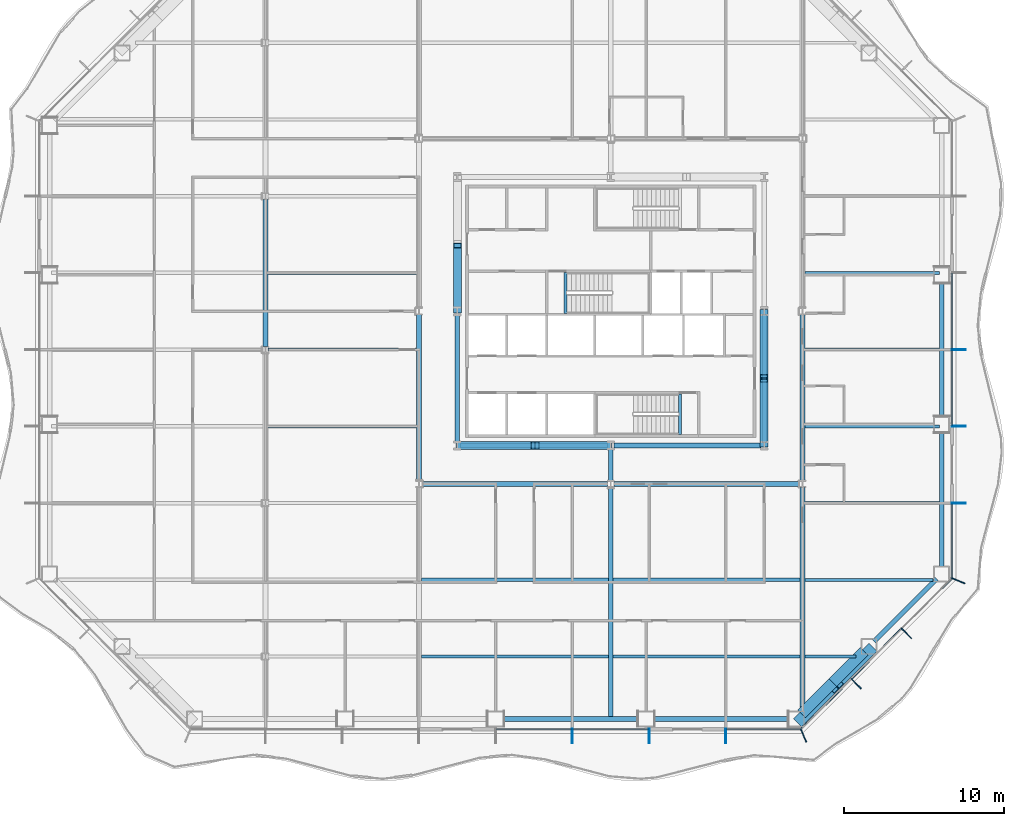
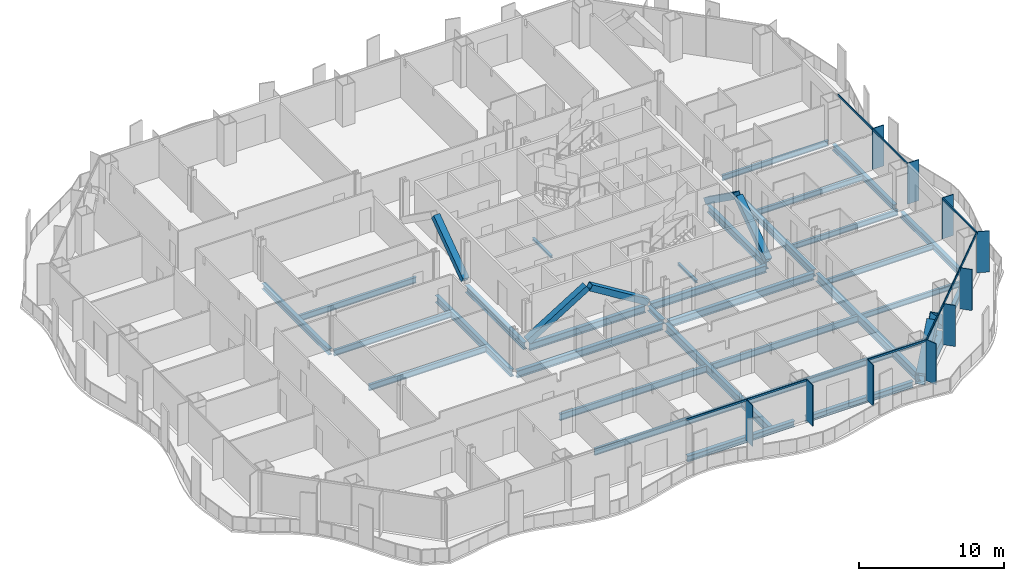
# One storey, part 2 of 21: 34 beams, 26 members, 3 elements without a shape of their own.
"""IFC4 building model written with IfcOpenShell, lengths in metres."""

from ifc_helpers import new_model, si_unit, direction, frame, origin, origin_2d, place, context, subcontext, project, spatial, rectangle, hollow_rectangle, i_section, extrude, material, material_profile, profile_set, type_object, element, aggregate, save


model = new_model("IFC4")

# Units and contexts
model_context = context("Model", 3, precision=1e-05, world=origin(), true_north=direction((0.0, 1.0)))
body_context = subcontext(model_context, "Body", "Model", "MODEL_VIEW")
ifc_project = project(units=[si_unit("LENGTHUNIT", "METRE"), si_unit("AREAUNIT", "SQUARE_METRE"), si_unit("VOLUMEUNIT", "CUBIC_METRE"), si_unit("PLANEANGLEUNIT", "RADIAN"), si_unit("MASSUNIT", "GRAM", prefix="KILO")], contexts=[model_context])

# Site, building, storey
site_placement = place(None, origin())
site = spatial("IfcSite", under=ifc_project, at=site_placement, CompositionType="ELEMENT")
building_placement = place(site_placement, origin())
building = spatial("IfcBuilding", under=site, at=building_placement, Name="Cairn Pilgrim Tower", CompositionType="ELEMENT")
storey_placement = place(building_placement, frame((0.0, 0.0, 58.199951171875)))
storey = spatial("IfcBuildingStorey", under=building, at=storey_placement, Name="L12", CompositionType="ELEMENT", Elevation=58.199951171875)

# Members
ifc_material_1 = material(Name="Structural steel S460M", Category="steel")
ifc_material_profile_1 = material_profile(ifc_material_1, hollow_rectangle(XDim=0.5, YDim=0.5, WallThickness=0.030029296875, at=origin_2d()), Name="BOX 500x500x30")
ifc_profile_set_1 = profile_set([ifc_material_profile_1], Name="Structural steel S460M")
member_type_1 = type_object("IfcMemberType", Name="BOX 500x500x30 BRACE", PredefinedType="BRACE", material=ifc_profile_set_1)
member_1_placement = place(storey_placement, frame((-2.3544921875, -6.0, 0.10009765625), z_axis=(0.850904896844, 0.0, 0.525319765978), x_axis=(0.0, 1.0, 0.0)))
element("IfcMember", 1, at=member_1_placement, inside=storey, type_object=member_type_1, Name="KB-1A", PredefinedType="BRACE", context=body_context, shape_type="SweptSolid", body=[
    extrude(hollow_rectangle(XDim=0.5, YDim=0.5, WallThickness=0.030029296875, at=origin_2d()), origin(), (0.0, 0.0, 1.0), 5.52490234375),
])
member_2_placement = place(storey_placement, frame((7.154541015625, -6.0, 0.10009765625), z_axis=(-0.850919818074, 0.0, 0.52529559603), x_axis=(0.0, -1.0, 0.0)))
element("IfcMember", 2, at=member_2_placement, inside=storey, type_object=member_type_1, Name="KB-1B", PredefinedType="BRACE", context=body_context, shape_type="SweptSolid", body=[
    extrude(hollow_rectangle(XDim=0.5, YDim=0.5, WallThickness=0.030029296875, at=origin_2d()), origin(), (0.0, 0.0, 1.0), 5.375),
])
member_3_placement = place(storey_placement, frame((16.800048828125, -5.95458984375, 0.10009765625), z_axis=(0.0, 0.814083383497, 0.580748004486), x_axis=(-1.0, 0.0, 0.0)))
element("IfcMember", 3, at=member_3_placement, inside=storey, type_object=member_type_1, Name="KB-2A", PredefinedType="BRACE", context=body_context, shape_type="SweptSolid", body=[
    extrude(hollow_rectangle(XDim=0.5, YDim=0.5, WallThickness=0.030029296875, at=origin_2d()), origin(), (0.0, 0.0, 1.0), 4.9951171875),
])
member_4_placement = place(storey_placement, frame((16.800048828125, 2.3544921875, 0.10009765625), z_axis=(0.0, -0.814066898095, 0.580771112769), x_axis=(1.0, 0.0, 0.0)))
element("IfcMember", 4, at=member_4_placement, inside=storey, type_object=member_type_1, Name="KB-2B", PredefinedType="BRACE", context=body_context, shape_type="SweptSolid", body=[
    extrude(hollow_rectangle(XDim=0.5, YDim=0.5, WallThickness=0.030029296875, at=origin_2d()), origin(), (0.0, 0.0, 1.0), 4.994873046875),
])
member_5_placement = place(storey_placement, frame((-2.39990234375, 2.4453125, 0.10009765625), z_axis=(0.0, 0.814083383497, 0.580748004486), x_axis=(-1.0, 0.0, 0.0)))
element("IfcMember", 5, at=member_5_placement, inside=storey, type_object=member_type_1, Name="KB-4B", PredefinedType="BRACE", context=body_context, shape_type="SweptSolid", body=[
    extrude(hollow_rectangle(XDim=0.5, YDim=0.5, WallThickness=0.030029296875, at=origin_2d()), origin(), (0.0, 0.0, 1.0), 4.9951171875),
])
ifc_material_profile_2 = material_profile(ifc_material_1, hollow_rectangle(XDim=0.699951171875, YDim=0.699951171875, WallThickness=0.0400390625, at=origin_2d()), Name="BOX 700x700x40")
ifc_profile_set_2 = profile_set([ifc_material_profile_2], Name="Structural steel S460M")
member_type_2 = type_object("IfcMemberType", Name="BOX 700x700x40 BRACE", PredefinedType="BRACE", material=ifc_profile_set_2)
member_6_placement = place(storey_placement, frame((19.0498046875, -23.181396484375, 0.150146484375), z_axis=(0.528118110354, 0.528118110354, 0.664968061663), x_axis=(-0.707106781187, 0.707106781187, 0.0)))
element("IfcMember", 6, at=member_6_placement, inside=storey, type_object=member_type_2, Name="XB-SE1-SE2-1", PredefinedType="BRACE", context=body_context, shape_type="SweptSolid", body=[
    extrude(hollow_rectangle(XDim=0.699951171875, YDim=0.699951171875, WallThickness=0.0400390625, at=origin_2d()), origin(), (0.0, 0.0, 1.0), 3.89990234375),
])
member_7_placement = place(storey_placement, frame((23.44482421875, -18.786376953125, 0.150146484375), z_axis=(-0.528090425698, -0.528090425698, 0.665012033404), x_axis=(0.707106781187, -0.707106781187, 0.0)))
element("IfcMember", 7, at=member_7_placement, inside=storey, type_object=member_type_2, Name="XB-SE1-SE2-2", PredefinedType="BRACE", context=body_context, shape_type="SweptSolid", body=[
    extrude(hollow_rectangle(XDim=0.699951171875, YDim=0.699951171875, WallThickness=0.0400390625, at=origin_2d()), origin(), (0.0, 0.0, 1.0), 3.899658203125),
])

# Beams
ifc_material_2 = material(Name="Structural steel S355J2", Category="steel")
ifc_material_profile_3 = material_profile(ifc_material_2, hollow_rectangle(XDim=0.699951171875, YDim=0.800048828125, WallThickness=0.0400390625, at=origin_2d()), Name="BOX 700x800x40")
ifc_profile_set_3 = profile_set([ifc_material_profile_3], Name="Structural steel S355J2")
beam_type_1 = type_object("IfcBeamType", Name="BOX 700x800x40 RING GIRDER", PredefinedType="SPANDREL", material=ifc_profile_set_3)
for number, where, z_axis, x_axis, name in (
    (8, (19.1455078125, -22.78173828125, -0.550048828125), (0.707106781187, 0.707106781187, 0.0), (-0.707106781187, 0.707106781187, 0.0), "RG1-SE1-SE2-1"),
    (9, (21.095458984375, -20.831787109375, -0.550048828125), (0.707106781187, 0.707106781187, 0.0), (-0.707106781187, 0.707106781187, 0.0), "RG1-SE1-SE2-2"),
):
    element("IfcBeam", number, at=place(storey_placement, frame(where, z_axis=z_axis, x_axis=x_axis)), inside=storey, type_object=beam_type_1, Name=name, PredefinedType="SPANDREL", context=body_context, shape_type="SweptSolid", body=[
        extrude(hollow_rectangle(XDim=0.699951171875, YDim=0.800048828125, WallThickness=0.0400390625, at=origin_2d()), origin(), (0.0, 0.0, 1.0), 2.757568359375),
    ])

# Curtain wall, members
ifc_material_3 = material(Name="Aluminium alloy 6063-T6 bronze anodised with Bronze tinted laminated low-E glass 8+16+8.8", Category="aluminium")
curtain_wall_type_1 = type_object("IfcCurtainWallType", Name="TOWER STICK CURTAIN WALL NS", PredefinedType="NOTDEFINED", material=ifc_material_3)
curtain_wall_1_placement = place(storey_placement, origin())
curtain_wall_1 = element("IfcCurtainWall", 10, at=curtain_wall_1_placement, inside=storey, type_object=curtain_wall_type_1, Name="Tower Stick Curtain Wall Ns S", PredefinedType="NOTDEFINED")
ifc_material_4 = material(Name="Aluminium alloy 6063-T6 bronze anodised", Category="aluminium")
ifc_material_profile_4 = material_profile(ifc_material_4, rectangle(XDim=0.89990234375, YDim=0.06005859375, at=origin_2d()), Name="FIN MULLION 60x900 BRONZE")
ifc_profile_set_4 = profile_set([ifc_material_profile_4], Name="Aluminium alloy 6063-T6 bronze anodised")
member_type_3 = type_object("IfcMemberType", Name="FIN MULLION 60x900 BRONZE", PredefinedType="MULLION", material=ifc_profile_set_4)
member_8_placement = place(storey_placement, frame((4.800048828125, -24.169921875, 0.0), z_axis=(0.0, 0.0, 1.0), x_axis=(0.0, -1.0, 0.0)))
member_8 = element("IfcMember", 11, at=member_8_placement, type_object=member_type_3, Name="Fin mullion S6", PredefinedType="MULLION", context=body_context, shape_type="SweptSolid", body=[
    extrude(rectangle(XDim=0.89990234375, YDim=0.06005859375, at=origin_2d()), origin(), (0.0, 0.0, 1.0), 3.449951171875),
])
member_9_placement = place(storey_placement, frame((9.60009765625, -24.169921875, 0.0), z_axis=(0.0, 0.0, 1.0), x_axis=(0.0, -1.0, 0.0)))
member_9 = element("IfcMember", 12, at=member_9_placement, type_object=member_type_3, Name="Fin mullion S7", PredefinedType="MULLION", context=body_context, shape_type="SweptSolid", body=[
    extrude(rectangle(XDim=0.89990234375, YDim=0.06005859375, at=origin_2d()), origin(), (0.0, 0.0, 1.0), 3.449951171875),
])
member_10_placement = place(storey_placement, frame((14.39990234375, -24.169921875, 0.0), z_axis=(0.0, 0.0, 1.0), x_axis=(0.0, -1.0, 0.0)))
member_10 = element("IfcMember", 13, at=member_10_placement, type_object=member_type_3, Name="Fin mullion S8", PredefinedType="MULLION", context=body_context, shape_type="SweptSolid", body=[
    extrude(rectangle(XDim=0.89990234375, YDim=0.06005859375, at=origin_2d()), origin(), (0.0, 0.0, 1.0), 3.449951171875),
])

curtain_wall_type_2 = type_object("IfcCurtainWallType", Name="CHAMFER CORNER CURTAIN WALL", PredefinedType="NOTDEFINED", material=ifc_material_3)
curtain_wall_2_placement = place(storey_placement, origin())
curtain_wall_2 = element("IfcCurtainWall", 14, at=curtain_wall_2_placement, inside=storey, type_object=curtain_wall_type_2, Name="Chamfer Corner Curtain Wall SE", PredefinedType="NOTDEFINED")
member_11_placement = place(storey_placement, frame((19.257080078125, -24.137939453125, 0.0), z_axis=(0.0, 0.0, 1.0), x_axis=(0.382683432365, -0.923879532511, 0.0)))
member_11 = element("IfcMember", 15, at=member_11_placement, type_object=member_type_3, Name="Fin mullion SE1", PredefinedType="MULLION", context=body_context, shape_type="SweptSolid", body=[
    extrude(rectangle(XDim=0.89990234375, YDim=0.06005859375, at=origin_2d()), origin(), (0.0, 0.0, 1.0), 3.449951171875),
])
member_12_placement = place(storey_placement, frame((22.544677734375, -20.895751953125, 0.0), z_axis=(0.0, 0.0, 1.0), x_axis=(0.707106781187, -0.707106781187, 0.0)))
member_12 = element("IfcMember", 16, at=member_12_placement, type_object=member_type_3, Name="Fin mullion SE2", PredefinedType="MULLION", context=body_context, shape_type="SweptSolid", body=[
    extrude(rectangle(XDim=0.89990234375, YDim=0.06005859375, at=origin_2d()), origin(), (0.0, 0.0, 1.0), 3.449951171875),
])
member_13_placement = place(storey_placement, frame((25.69580078125, -17.74462890625, 0.0), z_axis=(0.0, 0.0, 1.0), x_axis=(0.707106781187, -0.707106781187, 0.0)))
member_13 = element("IfcMember", 17, at=member_13_placement, type_object=member_type_3, Name="Fin mullion SE3", PredefinedType="MULLION", context=body_context, shape_type="SweptSolid", body=[
    extrude(rectangle(XDim=0.89990234375, YDim=0.06005859375, at=origin_2d()), origin(), (0.0, 0.0, 1.0), 3.449951171875),
])

curtain_wall_type_3 = type_object("IfcCurtainWallType", Name="TOWER STICK CURTAIN WALL EW", PredefinedType="NOTDEFINED", material=ifc_material_3)
curtain_wall_3_placement = place(storey_placement, origin())
curtain_wall_3 = element("IfcCurtainWall", 18, at=curtain_wall_3_placement, inside=storey, type_object=curtain_wall_type_3, Name="Tower Stick Curtain Wall Ew E", PredefinedType="NOTDEFINED")
member_14_placement = place(storey_placement, frame((28.93798828125, -14.457275390625, 0.0), z_axis=(0.0, 0.0, 1.0), x_axis=(0.923879532511, -0.382683432365, 0.0)))
member_14 = element("IfcMember", 19, at=member_14_placement, type_object=member_type_3, Name="Fin mullion E1", PredefinedType="MULLION", context=body_context, shape_type="SweptSolid", body=[
    extrude(rectangle(XDim=0.89990234375, YDim=0.06005859375, at=origin_2d()), origin(), (0.0, 0.0, 1.0), 3.449951171875),
])
member_15_placement = place(storey_placement, frame((28.969970703125, -9.60009765625, 0.0), z_axis=(0.0, 0.0, 1.0), x_axis=(1.0, 0.0, 0.0)))
member_15 = element("IfcMember", 20, at=member_15_placement, type_object=member_type_3, Name="Fin mullion E2", PredefinedType="MULLION", context=body_context, shape_type="SweptSolid", body=[
    extrude(rectangle(XDim=0.89990234375, YDim=0.06005859375, at=origin_2d()), origin(), (0.0, 0.0, 1.0), 3.449951171875),
])
member_16_placement = place(storey_placement, frame((28.969970703125, -4.800048828125, 0.0), z_axis=(0.0, 0.0, 1.0), x_axis=(1.0, 0.0, 0.0)))
member_16 = element("IfcMember", 21, at=member_16_placement, type_object=member_type_3, Name="Fin mullion E3", PredefinedType="MULLION", context=body_context, shape_type="SweptSolid", body=[
    extrude(rectangle(XDim=0.89990234375, YDim=0.06005859375, at=origin_2d()), origin(), (0.0, 0.0, 1.0), 3.449951171875),
])
member_17_placement = place(storey_placement, frame((28.969970703125, 0.0, 0.0), z_axis=(0.0, 0.0, 1.0), x_axis=(1.0, 0.0, 0.0)))
member_17 = element("IfcMember", 22, at=member_17_placement, type_object=member_type_3, Name="Fin mullion E4", PredefinedType="MULLION", context=body_context, shape_type="SweptSolid", body=[
    extrude(rectangle(XDim=0.89990234375, YDim=0.06005859375, at=origin_2d()), origin(), (0.0, 0.0, 1.0), 3.449951171875),
])

# Beams
ifc_material_profile_5 = material_profile(ifc_material_2, i_section(OverallWidth=0.300048828125, OverallDepth=0.39990234375, WebThickness=0.013427734375, FlangeThickness=0.02392578125, FilletRadius=0.027099609375, at=origin_2d()), Name="HEB 400")
ifc_profile_set_5 = profile_set([ifc_material_profile_5], Name="Structural steel S355J2")
beam_type_2 = type_object("IfcBeamType", Name="HEB 400 GIRDER", PredefinedType="BEAM", material=ifc_profile_set_5)
beam_1_placement = place(storey_placement, frame((7.199951171875, -8.18798828125, -0.349853515625), z_axis=(0.0, 1.0, 0.0), x_axis=(-1.0, 0.0, 0.0)))
element("IfcBeam", 23, at=beam_1_placement, inside=storey, type_object=beam_type_2, Name="PG3-E1", PredefinedType="BEAM", context=body_context, shape_type="SweptSolid", body=[
    extrude(i_section(OverallWidth=0.300048828125, OverallDepth=0.39990234375, WebThickness=0.013427734375, FlangeThickness=0.02392578125, FilletRadius=0.027099609375, at=origin_2d()), origin(), (0.0, 0.0, 1.0), 1.9609375),
])
ifc_material_profile_6 = material_profile(ifc_material_2, i_section(OverallWidth=0.300048828125, OverallDepth=0.5, WebThickness=0.014404296875, FlangeThickness=0.028076171875, FilletRadius=0.027099609375, at=origin_2d()), Name="HEB 500")
ifc_profile_set_6 = profile_set([ifc_material_profile_6], Name="Structural steel S355J2")
beam_type_3 = type_object("IfcBeamType", Name="HEB 500 GIRDER", PredefinedType="BEAM", material=ifc_profile_set_6)
beam_2_placement = place(storey_placement, frame((-14.39990234375, 0.20458984375, -0.39990234375), z_axis=(0.0, 1.0, 0.0), x_axis=(-1.0, 0.0, 0.0)))
element("IfcBeam", 24, at=beam_2_placement, inside=storey, type_object=beam_type_3, Name="PG1-4", PredefinedType="BEAM", context=body_context, shape_type="SweptSolid", body=[
    extrude(i_section(OverallWidth=0.300048828125, OverallDepth=0.5, WebThickness=0.014404296875, FlangeThickness=0.028076171875, FilletRadius=0.027099609375, at=origin_2d()), origin(), (0.0, 0.0, 1.0), 9.19091796875),
])
ifc_material_profile_7 = material_profile(ifc_material_2, i_section(OverallWidth=0.300048828125, OverallDepth=0.5, WebThickness=0.014404296875, FlangeThickness=0.028076171875, FilletRadius=0.027099609375, at=origin_2d()), Name="HEB 500")
ifc_profile_set_7 = profile_set([ifc_material_profile_7], Name="Structural steel S355J2")
beam_type_4 = type_object("IfcBeamType", Name="HEB 500 RING GIRDER", PredefinedType="SPANDREL", material=ifc_profile_set_7)
for number, where, z_axis, x_axis, name in (
    (25, (0.449951171875, -23.10009765625, -0.39990234375), (1.0, 0.0, 0.0), (0.0, 1.0, 0.0), "RG1-S3-S4"),
    (26, (9.863525390625, -23.10009765625, -0.39990234375), (1.0, 0.0, 0.0), (0.0, 1.0, 0.0), "RG1-S4-SE1"),
):
    element("IfcBeam", number, at=place(storey_placement, frame(where, z_axis=z_axis, x_axis=x_axis)), inside=storey, type_object=beam_type_4, Name=name, PredefinedType="SPANDREL", context=body_context, shape_type="SweptSolid", body=[
        extrude(i_section(OverallWidth=0.300048828125, OverallDepth=0.5, WebThickness=0.014404296875, FlangeThickness=0.028076171875, FilletRadius=0.027099609375, at=origin_2d()), origin(), (0.0, 0.0, 1.0), 8.513671875),
    ])
beam_3_placement = place(storey_placement, frame((23.681884765625, -18.245361328125, -0.39990234375), z_axis=(0.707106781187, 0.707106781187, 0.0), x_axis=(-0.707106781187, 0.707106781187, 0.0)))
element("IfcBeam", 27, at=beam_3_placement, inside=storey, type_object=beam_type_4, Name="RG1-SE2-E1", PredefinedType="SPANDREL", context=body_context, shape_type="SweptSolid", body=[
    extrude(i_section(OverallWidth=0.300048828125, OverallDepth=0.5, WebThickness=0.014404296875, FlangeThickness=0.028076171875, FilletRadius=0.027099609375, at=origin_2d()), origin(), (0.0, 0.0, 1.0), 5.515380859375),
])
beam_4_placement = place(storey_placement, frame((27.89990234375, -13.5771484375, -0.39990234375), z_axis=(0.0, 1.0, 0.0), x_axis=(-1.0, 0.0, 0.0)))
element("IfcBeam", 28, at=beam_4_placement, inside=storey, type_object=beam_type_4, Name="RG1-E1-E2", PredefinedType="SPANDREL", context=body_context, shape_type="SweptSolid", body=[
    extrude(i_section(OverallWidth=0.300048828125, OverallDepth=0.5, WebThickness=0.014404296875, FlangeThickness=0.028076171875, FilletRadius=0.027099609375, at=origin_2d()), origin(), (0.0, 0.0, 1.0), 8.451416015625),
])
beam_5_placement = place(storey_placement, frame((27.89990234375, -4.2255859375, -0.39990234375), z_axis=(0.0, 1.0, 0.0), x_axis=(-1.0, 0.0, 0.0)))
element("IfcBeam", 29, at=beam_5_placement, inside=storey, type_object=beam_type_4, Name="RG1-E2-E3", PredefinedType="SPANDREL", context=body_context, shape_type="SweptSolid", body=[
    extrude(i_section(OverallWidth=0.300048828125, OverallDepth=0.5, WebThickness=0.014404296875, FlangeThickness=0.028076171875, FilletRadius=0.027099609375, at=origin_2d()), origin(), (0.0, 0.0, 1.0), 8.451171875),
])
ifc_material_profile_8 = material_profile(ifc_material_2, i_section(OverallWidth=0.300048828125, OverallDepth=0.60009765625, WebThickness=0.015380859375, FlangeThickness=0.030029296875, FilletRadius=0.027099609375, at=origin_2d()), Name="HEB 600")
ifc_profile_set_8 = profile_set([ifc_material_profile_8], Name="Structural steel S355J2")
beam_type_5 = type_object("IfcBeamType", Name="HEB 600 CORE BEAM", PredefinedType="BEAM", material=ifc_profile_set_8)
for number, where, z_axis, x_axis, name in (
    (30, (-2.19580078125, -6.0, -0.449951171875), (1.0, 0.0, 0.0), (0.0, 1.0, 0.0), "CB-1"),
    (31, (7.404296875, -6.0, -0.449951171875), (1.0, 0.0, 0.0), (0.0, 1.0, 0.0), "CB-2"),
):
    element("IfcBeam", number, at=place(storey_placement, frame(where, z_axis=z_axis, x_axis=x_axis)), inside=storey, type_object=beam_type_5, Name=name, PredefinedType="BEAM", context=body_context, shape_type="SweptSolid", body=[
        extrude(i_section(OverallWidth=0.300048828125, OverallDepth=0.60009765625, WebThickness=0.015380859375, FlangeThickness=0.030029296875, FilletRadius=0.027099609375, at=origin_2d()), origin(), (0.0, 0.0, 1.0), 9.19140625),
    ])
for number, where, z_axis, x_axis, name in (
    (32, (16.800048828125, -5.795654296875, -0.449951171875), (0.0, 1.0, 0.0), (-1.0, 0.0, 0.0), "CB-3"),
    (33, (-2.39990234375, 2.19580078125, -0.449951171875), (0.0, -1.0, 0.0), (1.0, 0.0, 0.0), "CB-8"),
):
    element("IfcBeam", number, at=place(storey_placement, frame(where, z_axis=z_axis, x_axis=x_axis)), inside=storey, type_object=beam_type_5, Name=name, PredefinedType="BEAM", context=body_context, shape_type="SweptSolid", body=[
        extrude(i_section(OverallWidth=0.300048828125, OverallDepth=0.60009765625, WebThickness=0.015380859375, FlangeThickness=0.030029296875, FilletRadius=0.027099609375, at=origin_2d()), origin(), (0.0, 0.0, 1.0), 7.991455078125),
    ])
ifc_material_profile_9 = material_profile(ifc_material_2, i_section(OverallWidth=0.300048828125, OverallDepth=0.60009765625, WebThickness=0.015380859375, FlangeThickness=0.030029296875, FilletRadius=0.027099609375, at=origin_2d()), Name="HEB 600")
ifc_profile_set_9 = profile_set([ifc_material_profile_9], Name="Structural steel S355J2")
beam_type_6 = type_object("IfcBeamType", Name="HEB 600 GIRDER", PredefinedType="BEAM", material=ifc_profile_set_9)
for number, where, z_axis, x_axis, name in (
    (34, (-4.800048828125, -8.18798828125, -0.449951171875), (0.0, 1.0, 0.0), (-1.0, 0.0, 0.0), "PG2-2"),
    (35, (19.199951171875, -8.18798828125, -0.449951171875), (0.0, 1.0, 0.0), (-1.0, 0.0, 0.0), "PG4-2"),
):
    element("IfcBeam", number, at=place(storey_placement, frame(where, z_axis=z_axis, x_axis=x_axis)), inside=storey, type_object=beam_type_6, Name=name, PredefinedType="BEAM", context=body_context, shape_type="SweptSolid", body=[
        extrude(i_section(OverallWidth=0.300048828125, OverallDepth=0.60009765625, WebThickness=0.015380859375, FlangeThickness=0.030029296875, FilletRadius=0.027099609375, at=origin_2d()), origin(), (0.0, 0.0, 1.0), 10.3759765625),
    ])
ifc_material_profile_10 = material_profile(ifc_material_2, i_section(OverallWidth=0.300048828125, OverallDepth=0.60009765625, WebThickness=0.015380859375, FlangeThickness=0.030029296875, FilletRadius=0.027099609375, at=origin_2d()), Name="HEB 600")
ifc_profile_set_10 = profile_set([ifc_material_profile_10], Name="Structural steel S355J2")
beam_type_7 = type_object("IfcBeamType", Name="HEB 600 INNER GIRDER", PredefinedType="BEAM", material=ifc_profile_set_10)
for number, where, z_axis, x_axis, name in (
    (36, (-4.587890625, -8.39990234375, -0.449951171875), (1.0, 0.0, 0.0), (0.0, 1.0, 0.0), "IG1-1"),
    (37, (7.412109375, -8.39990234375, -0.449951171875), (1.0, 0.0, 0.0), (0.0, 1.0, 0.0), "IG1-2"),
):
    element("IfcBeam", number, at=place(storey_placement, frame(where, z_axis=z_axis, x_axis=x_axis)), inside=storey, type_object=beam_type_7, Name=name, PredefinedType="BEAM", context=body_context, shape_type="SweptSolid", body=[
        extrude(i_section(OverallWidth=0.300048828125, OverallDepth=0.60009765625, WebThickness=0.015380859375, FlangeThickness=0.030029296875, FilletRadius=0.027099609375, at=origin_2d()), origin(), (0.0, 0.0, 1.0), 11.575927734375),
    ])
ifc_material_profile_11 = material_profile(ifc_material_2, i_section(OverallWidth=0.300048828125, OverallDepth=0.699951171875, WebThickness=0.01708984375, FlangeThickness=0.031982421875, FilletRadius=0.027099609375, at=origin_2d()), Name="HEB 700")
ifc_profile_set_11 = profile_set([ifc_material_profile_11], Name="Structural steel S355J2")
beam_type_8 = type_object("IfcBeamType", Name="HEB 700 GIRDER", PredefinedType="BEAM", material=ifc_profile_set_11)
beam_6_placement = place(storey_placement, frame((7.199951171875, -22.97998046875, -0.5), z_axis=(0.0, 1.0, 0.0), x_axis=(-1.0, 0.0, 0.0)))
element("IfcBeam", 38, at=beam_6_placement, inside=storey, type_object=beam_type_8, Name="PG3-1", PredefinedType="BEAM", context=body_context, shape_type="SweptSolid", body=[
    extrude(i_section(OverallWidth=0.300048828125, OverallDepth=0.699951171875, WebThickness=0.01708984375, FlangeThickness=0.031982421875, FilletRadius=0.027099609375, at=origin_2d()), origin(), (0.0, 0.0, 1.0), 14.367919921875),
])
beam_7_placement = place(storey_placement, frame((19.199951171875, -22.545166015625, -0.5), z_axis=(0.0, 1.0, 0.0), x_axis=(-1.0, 0.0, 0.0)))
element("IfcBeam", 39, at=beam_7_placement, inside=storey, type_object=beam_type_8, Name="PG4-1", PredefinedType="BEAM", context=body_context, shape_type="SweptSolid", body=[
    extrude(i_section(OverallWidth=0.300048828125, OverallDepth=0.699951171875, WebThickness=0.01708984375, FlangeThickness=0.031982421875, FilletRadius=0.027099609375, at=origin_2d()), origin(), (0.0, 0.0, 1.0), 13.93310546875),
])
ifc_material_profile_12 = material_profile(ifc_material_2, i_section(OverallWidth=0.169921875, OverallDepth=0.360107421875, WebThickness=0.008056640625, FlangeThickness=0.0126953125, FilletRadius=0.01806640625, at=origin_2d()), Name="IPE 360")
ifc_profile_set_12 = profile_set([ifc_material_profile_12], Name="Structural steel S355J2")
beam_type_9 = type_object("IfcBeamType", Name="IPE 360 SECONDARY BEAM", PredefinedType="JOIST", material=ifc_profile_set_12)
beam_8_placement = place(storey_placement, frame((19.35009765625, -19.199951171875, -0.329833984375), z_axis=(1.0, 0.0, 0.0), x_axis=(0.0, 1.0, 0.0)))
element("IfcBeam", 40, at=beam_8_placement, inside=storey, type_object=beam_type_9, Name="SB1-5", PredefinedType="JOIST", context=body_context, shape_type="SweptSolid", body=[
    extrude(i_section(OverallWidth=0.169921875, OverallDepth=0.360107421875, WebThickness=0.008056640625, FlangeThickness=0.0126953125, FilletRadius=0.01806640625, at=origin_2d()), origin(), (0.0, 0.0, 1.0), 3.195068359375),
])
ifc_material_profile_13 = material_profile(ifc_material_2, i_section(OverallWidth=0.18994140625, OverallDepth=0.449951171875, WebThickness=0.009521484375, FlangeThickness=0.0146484375, FilletRadius=0.02099609375, at=origin_2d()), Name="IPE 450")
ifc_profile_set_13 = profile_set([ifc_material_profile_13], Name="Structural steel S355J2")
beam_type_10 = type_object("IfcBeamType", Name="IPE 450 SECONDARY BEAM", PredefinedType="JOIST", material=ifc_profile_set_13)
beam_9_placement = place(storey_placement, frame((19.35009765625, -14.39990234375, -0.375), z_axis=(1.0, 0.0, 0.0), x_axis=(0.0, 1.0, 0.0)))
element("IfcBeam", 41, at=beam_9_placement, inside=storey, type_object=beam_type_10, Name="SB2-5", PredefinedType="JOIST", context=body_context, shape_type="SweptSolid", body=[
    extrude(i_section(OverallWidth=0.18994140625, OverallDepth=0.449951171875, WebThickness=0.009521484375, FlangeThickness=0.0146484375, FilletRadius=0.02099609375, at=origin_2d()), origin(), (0.0, 0.0, 1.0), 7.9951171875),
])
for number, where, z_axis, x_axis, name in (
    (42, (19.35009765625, -9.60009765625, -0.375), (1.0, 0.0, 0.0), (0.0, 1.0, 0.0), "SB3-3"),
    (43, (19.35009765625, -4.800048828125, -0.375), (1.0, 0.0, 0.0), (0.0, 1.0, 0.0), "SB4-3"),
    (44, (19.35009765625, 0.0, -0.375), (1.0, 0.0, 0.0), (0.0, 1.0, 0.0), "SB5-3"),
    (45, (19.35009765625, 4.800048828125, -0.375), (1.0, 0.0, 0.0), (0.0, 1.0, 0.0), "SB6-3"),
):
    element("IfcBeam", number, at=place(storey_placement, frame(where, z_axis=z_axis, x_axis=x_axis)), inside=storey, type_object=beam_type_10, Name=name, PredefinedType="JOIST", context=body_context, shape_type="SweptSolid", body=[
        extrude(i_section(OverallWidth=0.18994140625, OverallDepth=0.449951171875, WebThickness=0.009521484375, FlangeThickness=0.0146484375, FilletRadius=0.02099609375, at=origin_2d()), origin(), (0.0, 0.0, 1.0), 8.429931640625),
    ])
ifc_material_profile_14 = material_profile(ifc_material_2, i_section(OverallWidth=0.199951171875, OverallDepth=0.5, WebThickness=0.01025390625, FlangeThickness=0.01611328125, FilletRadius=0.02099609375, at=origin_2d()), Name="IPE 500")
ifc_profile_set_14 = profile_set([ifc_material_profile_14], Name="Structural steel S355J2")
beam_type_11 = type_object("IfcBeamType", Name="IPE 500 SECONDARY BEAM", PredefinedType="JOIST", material=ifc_profile_set_14)
for number, where, z_axis, x_axis, name in (
    (46, (-14.25, -4.800048828125, -0.39990234375), (1.0, 0.0, 0.0), (0.0, 1.0, 0.0), "SB4-2"),
    (47, (-14.25, 0.0, -0.39990234375), (1.0, 0.0, 0.0), (0.0, 1.0, 0.0), "SB5-2"),
    (48, (-14.25, 4.800048828125, -0.39990234375), (1.0, 0.0, 0.0), (0.0, 1.0, 0.0), "SB6-2"),
):
    element("IfcBeam", number, at=place(storey_placement, frame(where, z_axis=z_axis, x_axis=x_axis)), inside=storey, type_object=beam_type_11, Name=name, PredefinedType="JOIST", context=body_context, shape_type="SweptSolid", body=[
        extrude(i_section(OverallWidth=0.199951171875, OverallDepth=0.5, WebThickness=0.01025390625, FlangeThickness=0.01611328125, FilletRadius=0.02099609375, at=origin_2d()), origin(), (0.0, 0.0, 1.0), 9.300048828125),
    ])
ifc_material_profile_15 = material_profile(ifc_material_2, i_section(OverallWidth=0.2099609375, OverallDepth=0.550048828125, WebThickness=0.010986328125, FlangeThickness=0.01708984375, FilletRadius=0.02392578125, at=origin_2d()), Name="IPE 550")
ifc_profile_set_15 = profile_set([ifc_material_profile_15], Name="Structural steel S355J2")
beam_type_12 = type_object("IfcBeamType", Name="IPE 550 SECONDARY BEAM", PredefinedType="JOIST", material=ifc_profile_set_15)
for number, where, z_axis, x_axis, name in (
    (49, (-4.64990234375, -19.199951171875, -0.425048828125), (1.0, 0.0, 0.0), (0.0, 1.0, 0.0), "SB1-3"),
    (50, (7.35009765625, -19.199951171875, -0.425048828125), (1.0, 0.0, 0.0), (0.0, 1.0, 0.0), "SB1-4"),
    (51, (-4.64990234375, -14.39990234375, -0.425048828125), (1.0, 0.0, 0.0), (0.0, 1.0, 0.0), "SB2-3"),
    (52, (7.35009765625, -14.39990234375, -0.425048828125), (1.0, 0.0, 0.0), (0.0, 1.0, 0.0), "SB2-4"),
):
    element("IfcBeam", number, at=place(storey_placement, frame(where, z_axis=z_axis, x_axis=x_axis)), inside=storey, type_object=beam_type_12, Name=name, PredefinedType="JOIST", context=body_context, shape_type="SweptSolid", body=[
        extrude(i_section(OverallWidth=0.2099609375, OverallDepth=0.550048828125, WebThickness=0.010986328125, FlangeThickness=0.01708984375, FilletRadius=0.02392578125, at=origin_2d()), origin(), (0.0, 0.0, 1.0), 11.699951171875),
    ])
ifc_material_profile_16 = material_profile(ifc_material_2, i_section(OverallWidth=0.199951171875, OverallDepth=0.199951171875, WebThickness=0.009033203125, FlangeThickness=0.014892578125, FilletRadius=0.01806640625, at=origin_2d()), Name="HE 200 B")
ifc_profile_set_16 = profile_set([ifc_material_profile_16], Name="Structural steel S355J2")
beam_type_13 = type_object("IfcBeamType", Name="STAIR LANDING BEAM HE 200 B", PredefinedType="BEAM", material=ifc_profile_set_16)
beam_10_placement = place(storey_placement, frame((11.5244140625, -2.77490234375, -0.25), z_axis=(0.0, -1.0, 0.0), x_axis=(1.0, 0.0, 0.0)))
element("IfcBeam", 53, at=beam_10_placement, inside=storey, type_object=beam_type_13, Name="STAIR LANDING BEAM LD-HE200B", PredefinedType="BEAM", context=body_context, shape_type="SweptSolid", body=[
    extrude(i_section(OverallWidth=0.199951171875, OverallDepth=0.199951171875, WebThickness=0.009033203125, FlangeThickness=0.014892578125, FilletRadius=0.01806640625, at=origin_2d()), origin(), (0.0, 0.0, 1.0), 2.525146484375),
])
beam_11_placement = place(storey_placement, frame((4.37548828125, 2.27490234375, -0.25), z_axis=(0.0, 1.0, 0.0), x_axis=(-1.0, 0.0, 0.0)))
element("IfcBeam", 54, at=beam_11_placement, inside=storey, type_object=beam_type_13, Name="STAIR LANDING BEAM LD-HE200B", PredefinedType="BEAM", context=body_context, shape_type="SweptSolid", body=[
    extrude(i_section(OverallWidth=0.199951171875, OverallDepth=0.199951171875, WebThickness=0.009033203125, FlangeThickness=0.014892578125, FilletRadius=0.01806640625, at=origin_2d()), origin(), (0.0, 0.0, 1.0), 2.550048828125),
])

# Member
ifc_material_profile_17 = material_profile(ifc_material_4, rectangle(XDim=0.080078125, YDim=0.14990234375, at=origin_2d()), Name="TRANSOM 80x150 BRONZE")
ifc_profile_set_17 = profile_set([ifc_material_profile_17], Name="Aluminium alloy 6063-T6 bronze anodised")
member_type_4 = type_object("IfcMemberType", Name="TRANSOM 80x150 BRONZE", PredefinedType="USERDEFINED", material=ifc_profile_set_17)
member_18_placement = place(storey_placement, frame((0.030029296875, -23.75, 3.375), z_axis=(1.0, 0.0, 0.0), x_axis=(0.0, 1.0, 0.0)))
member_18 = element("IfcMember", 55, at=member_18_placement, type_object=member_type_4, Name="Transom S5", ObjectType="TRANSOM", PredefinedType="USERDEFINED", context=body_context, shape_type="SweptSolid", body=[
    extrude(rectangle(XDim=0.080078125, YDim=0.14990234375, at=origin_2d()), origin(), (0.0, 0.0, 1.0), 4.739990234375),
])

member_19_placement = place(storey_placement, frame((4.830078125, -23.75, 3.375), z_axis=(1.0, 0.0, 0.0), x_axis=(0.0, 1.0, 0.0)))
member_19 = element("IfcMember", 56, at=member_19_placement, type_object=member_type_4, Name="Transom S6", ObjectType="TRANSOM", PredefinedType="USERDEFINED", context=body_context, shape_type="SweptSolid", body=[
    extrude(rectangle(XDim=0.080078125, YDim=0.14990234375, at=origin_2d()), origin(), (0.0, 0.0, 1.0), 4.739990234375),
])

member_20_placement = place(storey_placement, frame((14.429931640625, -23.75, 3.375), z_axis=(1.0, 0.0, 0.0), x_axis=(0.0, 1.0, 0.0)))
member_20 = element("IfcMember", 57, at=member_20_placement, type_object=member_type_4, Name="Transom S8", ObjectType="TRANSOM", PredefinedType="USERDEFINED", context=body_context, shape_type="SweptSolid", body=[
    extrude(rectangle(XDim=0.080078125, YDim=0.14990234375, at=origin_2d()), origin(), (0.0, 0.0, 1.0), 4.62646484375),
])

aggregate(curtain_wall_1, [member_8, member_9, member_10, member_18, member_19, member_20])

member_21_placement = place(storey_placement, frame((19.124755859375, -23.7216796875, 3.375), z_axis=(0.707106781187, 0.707106781187, 0.0), x_axis=(-0.707106781187, 0.707106781187, 0.0)))
member_21 = element("IfcMember", 58, at=member_21_placement, type_object=member_type_4, Name="Transom SE1", ObjectType="TRANSOM", PredefinedType="USERDEFINED", context=body_context, shape_type="SweptSolid", body=[
    extrude(rectangle(XDim=0.080078125, YDim=0.14990234375, at=origin_2d()), origin(), (0.0, 0.0, 1.0), 4.38623046875),
])

member_22_placement = place(storey_placement, frame((22.268798828125, -20.57763671875, 3.375), z_axis=(0.707106781187, 0.707106781187, 0.0), x_axis=(-0.707106781187, 0.707106781187, 0.0)))
member_22 = element("IfcMember", 59, at=member_22_placement, type_object=member_type_4, Name="Transom SE2", ObjectType="TRANSOM", PredefinedType="USERDEFINED", context=body_context, shape_type="SweptSolid", body=[
    extrude(rectangle(XDim=0.080078125, YDim=0.14990234375, at=origin_2d()), origin(), (0.0, 0.0, 1.0), 4.396728515625),
])

member_23_placement = place(storey_placement, frame((25.419921875, -17.426513671875, 3.375), z_axis=(0.707106781187, 0.707106781187, 0.0), x_axis=(-0.707106781187, 0.707106781187, 0.0)))
member_23 = element("IfcMember", 60, at=member_23_placement, type_object=member_type_4, Name="Transom SE3", ObjectType="TRANSOM", PredefinedType="USERDEFINED", context=body_context, shape_type="SweptSolid", body=[
    extrude(rectangle(XDim=0.080078125, YDim=0.14990234375, at=origin_2d()), origin(), (0.0, 0.0, 1.0), 4.38671875),
])

aggregate(curtain_wall_2, [member_11, member_12, member_13, member_21, member_22, member_23])

member_24_placement = place(storey_placement, frame((28.550048828125, -14.25634765625, 3.375), z_axis=(0.0, 1.0, 0.0), x_axis=(-1.0, 0.0, 0.0)))
member_24 = element("IfcMember", 61, at=member_24_placement, type_object=member_type_4, Name="Transom E1", ObjectType="TRANSOM", PredefinedType="USERDEFINED", context=body_context, shape_type="SweptSolid", body=[
    extrude(rectangle(XDim=0.080078125, YDim=0.14990234375, at=origin_2d()), origin(), (0.0, 0.0, 1.0), 4.62646484375),
])

member_25_placement = place(storey_placement, frame((28.550048828125, -4.77001953125, 3.375), z_axis=(0.0, 1.0, 0.0), x_axis=(-1.0, 0.0, 0.0)))
member_25 = element("IfcMember", 62, at=member_25_placement, type_object=member_type_4, Name="Transom E3", ObjectType="TRANSOM", PredefinedType="USERDEFINED", context=body_context, shape_type="SweptSolid", body=[
    extrude(rectangle(XDim=0.080078125, YDim=0.14990234375, at=origin_2d()), origin(), (0.0, 0.0, 1.0), 4.739990234375),
])

member_26_placement = place(storey_placement, frame((28.550048828125, 0.030029296875, 3.375), z_axis=(0.0, 1.0, 0.0), x_axis=(-1.0, 0.0, 0.0)))
member_26 = element("IfcMember", 63, at=member_26_placement, type_object=member_type_4, Name="Transom E4", ObjectType="TRANSOM", PredefinedType="USERDEFINED", context=body_context, shape_type="SweptSolid", body=[
    extrude(rectangle(XDim=0.080078125, YDim=0.14990234375, at=origin_2d()), origin(), (0.0, 0.0, 1.0), 4.739990234375),
])

aggregate(curtain_wall_3, [member_14, member_15, member_16, member_17, member_24, member_25, member_26])

save(model, "model.ifc")
